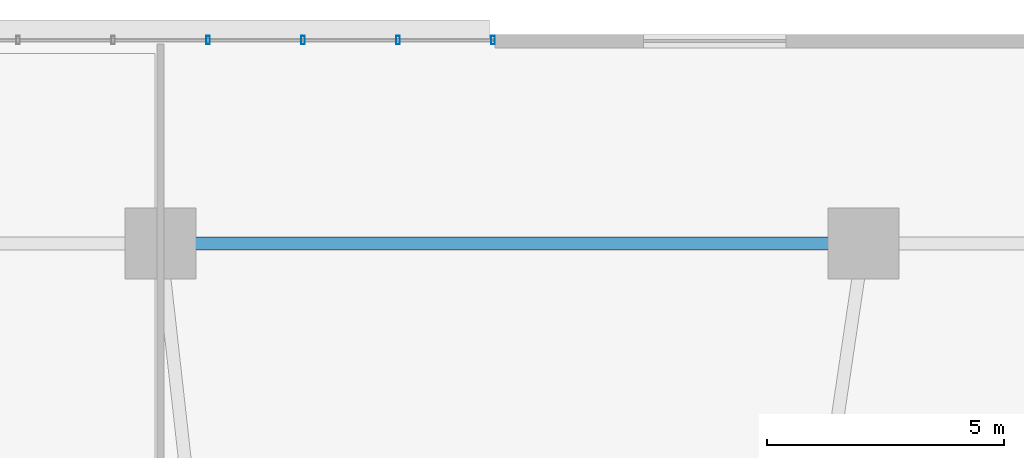
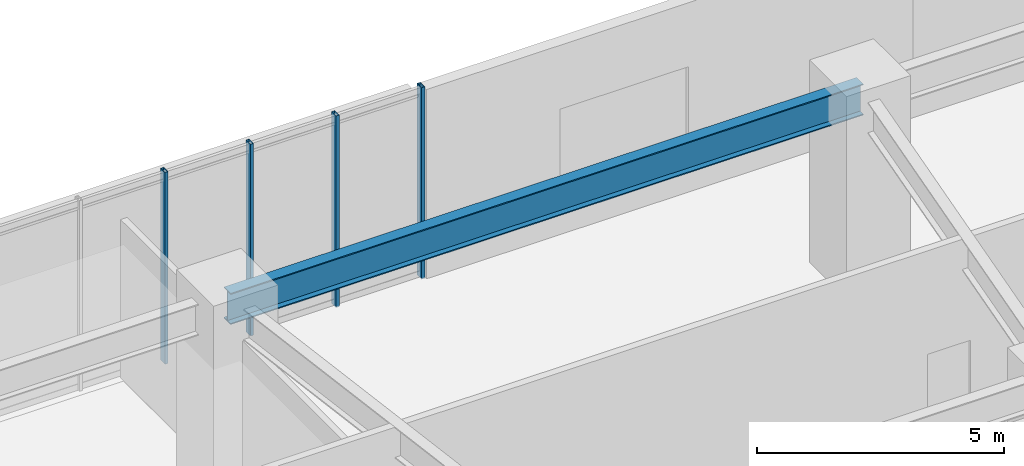
# One storey, part 10 of 26: 4 members, 1 beam, 1 element without a shape of its own.
"""IFC4 building model written with IfcOpenShell, lengths in metres."""

from ifc_helpers import new_model, si_unit, direction, frame, origin, origin_2d, place, context, subcontext, project, spatial, hollow_rectangle, i_section, extrude, material, material_profile, profile_set, type_object, element, aggregate, save


model = new_model("IFC4")

# Units and contexts
model_context = context("Model", 3, precision=1e-05, world=origin(), true_north=direction((0.0, 1.0)))
body_context = subcontext(model_context, "Body", "Model", "MODEL_VIEW")
ifc_project = project(units=[si_unit("LENGTHUNIT", "METRE"), si_unit("AREAUNIT", "SQUARE_METRE"), si_unit("VOLUMEUNIT", "CUBIC_METRE"), si_unit("PLANEANGLEUNIT", "RADIAN"), si_unit("MASSUNIT", "GRAM", prefix="KILO")], contexts=[model_context])

# Site, building, storey
site_placement = place(None, origin())
site = spatial("IfcSite", under=ifc_project, at=site_placement, CompositionType="ELEMENT")
building_placement = place(site_placement, origin())
building = spatial("IfcBuilding", under=site, at=building_placement, Name="Zulverin Broadcast Headquarters", CompositionType="ELEMENT")
storey_placement = place(building_placement, frame((0.0, 0.0, 15.0)))
storey = spatial("IfcBuildingStorey", under=building, at=storey_placement, Name="L03", CompositionType="ELEMENT", Elevation=15.0)

# Beam
ifc_material_1 = material(Name="Structural steel S355JR", Category="steel")
ifc_material_profile_1 = material_profile(ifc_material_1, i_section(OverallWidth=0.26806640625, OverallDepth=0.769775390625, WebThickness=0.015625, FlangeThickness=0.025390625, at=origin_2d()), Name="Structural steel S355JR", Category="steel")
ifc_profile_set_1 = profile_set([ifc_material_profile_1], Name="Structural steel S355JR")
beam_type = type_object("IfcBeamType", Name="BM-UB-762", PredefinedType="BEAM", material=ifc_profile_set_1)
beam_placement = place(storey_placement, frame((51.800048828125, 46.0, 4.295166015625), z_axis=(-1.0, 0.0, 0.0), x_axis=(0.0, -1.0, 0.0)))
element("IfcBeam", 1, at=beam_placement, inside=storey, type_object=beam_type, Name="L03 Podium Primary Girder P09-P08", PredefinedType="BEAM", context=body_context, shape_type="SweptSolid", body=[
    extrude(i_section(OverallWidth=0.26806640625, OverallDepth=0.769775390625, WebThickness=0.015625, FlangeThickness=0.025390625, at=origin_2d()), origin(), (0.0, 0.0, 1.0), 14.800048828125),
])

# Curtain wall, members
ifc_material_2 = material(Name="Pale-metal unitised podium curtain wall", Category="aluminium")
curtain_wall_type = type_object("IfcCurtainWallType", Name="CW-POD", PredefinedType="USERDEFINED", material=ifc_material_2)
curtain_wall_placement = place(storey_placement, origin())
curtain_wall = element("IfcCurtainWall", 2, at=curtain_wall_placement, inside=storey, type_object=curtain_wall_type, Name="L03 Unitised Curtain Wall CW-L03-N2", ObjectType="UNITISED CURTAIN WALL", PredefinedType="USERDEFINED")
ifc_material_3 = material(Name="Anodized pale-metal aluminium alloy 6063-T6", Category="aluminium")
ifc_material_profile_2 = material_profile(ifc_material_3, hollow_rectangle(XDim=0.074951171875, YDim=0.179931640625, WallThickness=0.0048828125, at=origin_2d()), Name="Anodized pale-metal aluminium alloy 6063-T6", Category="aluminium")
ifc_profile_set_2 = profile_set([ifc_material_profile_2], Name="Anodized pale-metal aluminium alloy 6063-T6")
member_type = type_object("IfcMemberType", Name="CW-MUL-180", PredefinedType="MULLION", material=ifc_profile_set_2)
member_1_placement = place(storey_placement, frame((44.0, 50.280029296875, -0.030029296875), z_axis=(0.0, 0.0, 1.0), x_axis=(-1.0, 0.0, 0.0)))
member_1 = element("IfcMember", 3, at=member_1_placement, type_object=member_type, Name="CW-L03-N2 Mullion 00", PredefinedType="MULLION", context=body_context, shape_type="SweptSolid", body=[
    extrude(hollow_rectangle(XDim=0.074951171875, YDim=0.179931640625, WallThickness=0.0048828125, at=origin_2d()), origin(), (0.0, 0.0, 1.0), 4.739990234375),
])
member_2_placement = place(storey_placement, frame((42.0, 50.280029296875, -0.030029296875), z_axis=(0.0, 0.0, 1.0), x_axis=(-1.0, 0.0, 0.0)))
member_2 = element("IfcMember", 4, at=member_2_placement, type_object=member_type, Name="CW-L03-N2 Mullion 01", PredefinedType="MULLION", context=body_context, shape_type="SweptSolid", body=[
    extrude(hollow_rectangle(XDim=0.074951171875, YDim=0.179931640625, WallThickness=0.0048828125, at=origin_2d()), origin(), (0.0, 0.0, 1.0), 4.739990234375),
])
member_3_placement = place(storey_placement, frame((40.0, 50.280029296875, -0.030029296875), z_axis=(0.0, 0.0, 1.0), x_axis=(-1.0, 0.0, 0.0)))
member_3 = element("IfcMember", 5, at=member_3_placement, type_object=member_type, Name="CW-L03-N2 Mullion 02", PredefinedType="MULLION", context=body_context, shape_type="SweptSolid", body=[
    extrude(hollow_rectangle(XDim=0.074951171875, YDim=0.179931640625, WallThickness=0.0048828125, at=origin_2d()), origin(), (0.0, 0.0, 1.0), 4.739990234375),
])
member_4_placement = place(storey_placement, frame((38.0, 50.280029296875, -0.030029296875), z_axis=(0.0, 0.0, 1.0), x_axis=(-1.0, 0.0, 0.0)))
member_4 = element("IfcMember", 6, at=member_4_placement, type_object=member_type, Name="CW-L03-N2 Mullion 03", PredefinedType="MULLION", context=body_context, shape_type="SweptSolid", body=[
    extrude(hollow_rectangle(XDim=0.074951171875, YDim=0.179931640625, WallThickness=0.0048828125, at=origin_2d()), origin(), (0.0, 0.0, 1.0), 4.739990234375),
])
aggregate(curtain_wall, [member_1, member_2, member_3, member_4])

save(model, "model.ifc")
